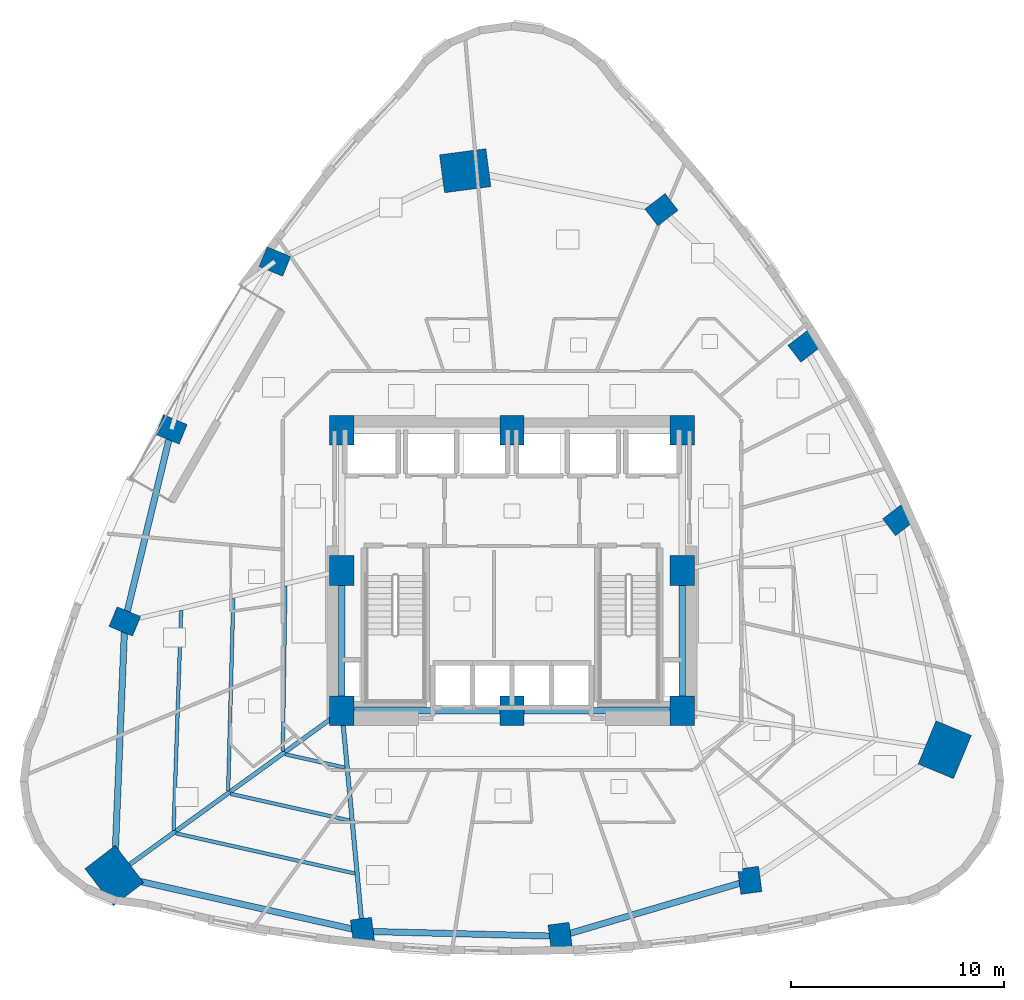
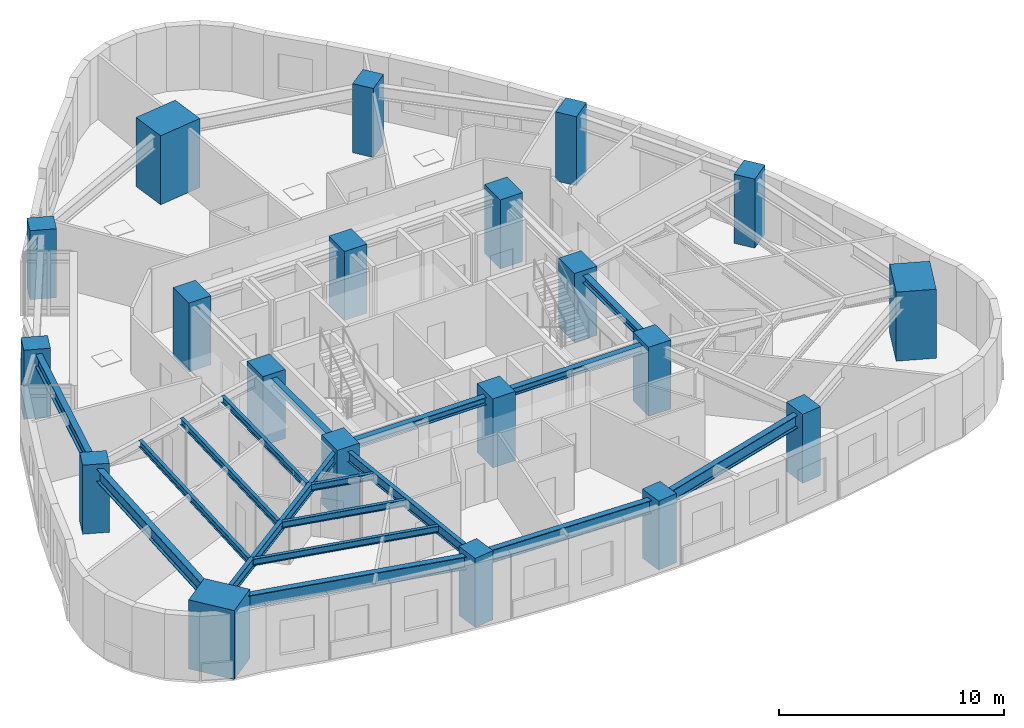
# One storey, part 1 of 12: 20 columns, 17 beams.
"""IFC4 building model written with IfcOpenShell, lengths in metres."""

from ifc_helpers import new_model, si_unit, direction, frame, origin, origin_2d, place, context, subcontext, project, spatial, rectangle, i_section, extrude, material, material_profile, profile_set, type_object, element, save


model = new_model("IFC4")

# Units and contexts
model_context = context("Model", 3, precision=1e-05, world=origin(), true_north=direction((0.0, 1.0)))
body_context = subcontext(model_context, "Body", "Model", "MODEL_VIEW")
ifc_project = project(units=[si_unit("LENGTHUNIT", "METRE"), si_unit("AREAUNIT", "SQUARE_METRE"), si_unit("VOLUMEUNIT", "CUBIC_METRE"), si_unit("PLANEANGLEUNIT", "RADIAN"), si_unit("MASSUNIT", "GRAM", prefix="KILO")], contexts=[model_context])

# Site, building, storey
site_placement = place(None, origin())
site = spatial("IfcSite", under=ifc_project, at=site_placement, CompositionType="ELEMENT")
building_placement = place(site_placement, origin())
building = spatial("IfcBuilding", under=site, at=building_placement, Name="Ndelora Gate Hotel", CompositionType="ELEMENT")
storey_placement = place(building_placement, frame((0.0, 0.0, 38.0)))
storey = spatial("IfcBuildingStorey", under=building, at=storey_placement, Name="L08", CompositionType="ELEMENT", Elevation=38.0)

# Columns
ifc_material_1 = material(Name="Concrete C60/75", Category="concrete")
ifc_material_profile_1 = material_profile(ifc_material_1, rectangle(XDim=1.14990234375, YDim=1.39990234375, at=origin_2d()), Name="RC 1400x1150")
ifc_profile_set_1 = profile_set([ifc_material_profile_1], Name="Concrete C60/75")
column_type_1 = type_object("IfcColumnType", Name="COL-CC-LOW", PredefinedType="COLUMN", material=ifc_profile_set_1)
for number, where, z_axis, x_axis, name in (
    (1, (-8.0, -6.60009765625, 0.0), (0.0, 0.0, 1.0), (1.0, 0.0, 0.0), "L08 Core Column CC1"),
    (2, (0.0, -6.60009765625, 0.0), (0.0, 0.0, 1.0), (1.0, 0.0, 0.0), "L08 Core Column CC2"),
    (3, (8.0, -6.60009765625, 0.0), (0.0, 0.0, 1.0), (1.0, 0.0, 0.0), "L08 Core Column CC3"),
    (4, (8.0, 0.0, 0.0), (0.0, 0.0, 1.0), (1.0, 0.0, 0.0), "L08 Core Column CC4"),
    (5, (8.0, 6.60009765625, 0.0), (0.0, 0.0, 1.0), (1.0, 0.0, 0.0), "L08 Core Column CC5"),
    (6, (0.0, 6.60009765625, 0.0), (0.0, 0.0, 1.0), (1.0, 0.0, 0.0), "L08 Core Column CC6"),
    (7, (-8.0, 6.60009765625, 0.0), (0.0, 0.0, 1.0), (1.0, 0.0, 0.0), "L08 Core Column CC7"),
    (8, (-8.0, 0.0, 0.0), (0.0, 0.0, 1.0), (1.0, 0.0, 0.0), "L08 Core Column CC8"),
):
    element("IfcColumn", number, at=place(storey_placement, frame(where, z_axis=z_axis, x_axis=x_axis)), inside=storey, type_object=column_type_1, Name=name, PredefinedType="COLUMN", context=body_context, shape_type="SweptSolid", body=[
        extrude(rectangle(XDim=1.14990234375, YDim=1.39990234375, at=origin_2d()), origin(), (0.0, 0.0, 1.0), 3.75),
    ])
ifc_material_profile_2 = material_profile(ifc_material_1, rectangle(XDim=1.800048828125, YDim=2.199951171875, at=origin_2d()), Name="RC 2200x1800")
ifc_profile_set_2 = profile_set([ifc_material_profile_2], Name="Concrete C60/75")
column_type_2 = type_object("IfcColumnType", Name="COL-MC-Z1", PredefinedType="COLUMN", material=ifc_profile_set_2)
for number, where, z_axis, x_axis, name in (
    (9, (-2.199951171875, 18.800048828125, 0.0), (0.0, 0.0, 1.0), (-0.13052619222, 0.991444861374, 0.0), "L08 Corner Mega-Column R1"),
    (10, (-18.701904296875, -14.3505859375, 0.0), (0.0, 0.0, 1.0), (0.793353340291, 0.608761429009, 0.0), "L08 Corner Mega-Column R5"),
    (11, (20.35009765625, -8.42919921875, 0.0), (0.0, 0.0, 1.0), (-0.923879532511, 0.382683432365, 0.0), "L08 Corner Mega-Column R9"),
):
    element("IfcColumn", number, at=place(storey_placement, frame(where, z_axis=z_axis, x_axis=x_axis)), inside=storey, type_object=column_type_2, Name=name, PredefinedType="COLUMN", context=body_context, shape_type="SweptSolid", body=[
        extrude(rectangle(XDim=1.800048828125, YDim=2.199951171875, at=origin_2d()), origin(), (0.0, 0.0, 1.0), 3.75),
    ])
ifc_material_profile_3 = material_profile(ifc_material_1, rectangle(XDim=1.0, YDim=1.199951171875, at=origin_2d()), Name="RC 1200x1000")
ifc_profile_set_3 = profile_set([ifc_material_profile_3], Name="Concrete C60/75")
column_type_3 = type_object("IfcColumnType", Name="COL-PT-Z1", PredefinedType="COLUMN", material=ifc_profile_set_3)
for number, where, z_axis, x_axis, name in (
    (12, (-11.1484375, 14.529052734375, 0.0), (0.0, 0.0, 1.0), (0.382683432365, 0.923879532511, 0.0), "L08 Perimeter Tube Column R2"),
    (13, (-16.016845703125, 6.634521484375, 0.0), (0.0, 0.0, 1.0), (0.382683432365, 0.923879532511, 0.0), "L08 Perimeter Tube Column R3"),
    (14, (-18.207275390625, -2.39697265625, 0.0), (0.0, 0.0, 1.0), (0.382683432365, 0.923879532511, 0.0), "L08 Perimeter Tube Column R4"),
    (15, (-7.027587890625, -16.96630859375, 0.0), (0.0, 0.0, 1.0), (0.991444861374, 0.13052619222, 0.0), "L08 Perimeter Tube Column R6"),
    (16, (2.2646484375, -17.20166015625, 0.0), (0.0, 0.0, 1.0), (0.991444861374, 0.13052619222, 0.0), "L08 Perimeter Tube Column R7"),
    (17, (11.179443359375, -14.5693359375, 0.0), (0.0, 0.0, 1.0), (0.991444861374, 0.13052619222, 0.0), "L08 Perimeter Tube Column R8"),
    (18, (18.207275390625, 2.39697265625, 0.0), (0.0, 0.0, 1.0), (-0.608761429009, 0.793353340291, 0.0), "L08 Perimeter Tube Column R10"),
    (19, (13.75390625, 10.5537109375, 0.0), (0.0, 0.0, 1.0), (-0.608761429009, 0.793353340291, 0.0), "L08 Perimeter Tube Column R11"),
    (20, (7.027587890625, 16.96630859375, 0.0), (0.0, 0.0, 1.0), (-0.608761429009, 0.793353340291, 0.0), "L08 Perimeter Tube Column R12"),
):
    element("IfcColumn", number, at=place(storey_placement, frame(where, z_axis=z_axis, x_axis=x_axis)), inside=storey, type_object=column_type_3, Name=name, PredefinedType="COLUMN", context=body_context, shape_type="SweptSolid", body=[
        extrude(rectangle(XDim=1.0, YDim=1.199951171875, at=origin_2d()), origin(), (0.0, 0.0, 1.0), 3.75),
    ])

# Beams
ifc_material_2 = material(Name="Steel S355", Category="steel")
ifc_material_profile_4 = material_profile(ifc_material_2, i_section(OverallWidth=0.300048828125, OverallDepth=0.39990234375, WebThickness=0.013427734375, FlangeThickness=0.02392578125, FilletRadius=0.027099609375, at=origin_2d()), Name="HEB 400")
ifc_profile_set_4 = profile_set([ifc_material_profile_4], Name="Steel S355")
beam_type_1 = type_object("IfcBeamType", Name="BM-CORE-400", PredefinedType="BEAM", material=ifc_profile_set_4)
for number, where, z_axis, x_axis, name in (
    (21, (-8.0, -6.60009765625, 3.300048828125), (0.0, 1.0, 0.0), (-1.0, 0.0, 0.0), "L08 Core Tie Girder CC1-CC8"),
    (22, (8.0, -6.60009765625, 3.300048828125), (0.0, 1.0, 0.0), (-1.0, 0.0, 0.0), "L08 Core Tie Girder CC3-CC4"),
):
    element("IfcBeam", number, at=place(storey_placement, frame(where, z_axis=z_axis, x_axis=x_axis)), inside=storey, type_object=beam_type_1, Name=name, PredefinedType="BEAM", context=body_context, shape_type="SweptSolid", body=[
        extrude(i_section(OverallWidth=0.300048828125, OverallDepth=0.39990234375, WebThickness=0.013427734375, FlangeThickness=0.02392578125, FilletRadius=0.027099609375, at=origin_2d()), origin(), (0.0, 0.0, 1.0), 6.60009765625),
    ])
for number, where, z_axis, x_axis, name in (
    (23, (-8.0, -6.60009765625, 3.300048828125), (1.0, 0.0, 0.0), (0.0, 1.0, 0.0), "L08 Core Tie Girder CC1-CC2"),
    (24, (0.0, -6.60009765625, 3.300048828125), (1.0, 0.0, 0.0), (0.0, 1.0, 0.0), "L08 Core Tie Girder CC2-CC3"),
):
    element("IfcBeam", number, at=place(storey_placement, frame(where, z_axis=z_axis, x_axis=x_axis)), inside=storey, type_object=beam_type_1, Name=name, PredefinedType="BEAM", context=body_context, shape_type="SweptSolid", body=[
        extrude(i_section(OverallWidth=0.300048828125, OverallDepth=0.39990234375, WebThickness=0.013427734375, FlangeThickness=0.02392578125, FilletRadius=0.027099609375, at=origin_2d()), origin(), (0.0, 0.0, 1.0), 8.0),
    ])
ifc_material_profile_5 = material_profile(ifc_material_2, i_section(OverallWidth=0.169921875, OverallDepth=0.360107421875, WebThickness=0.008056640625, FlangeThickness=0.0126953125, FilletRadius=0.01806640625, at=origin_2d()), Name="IPE 360")
ifc_profile_set_5 = profile_set([ifc_material_profile_5], Name="Steel S355")
beam_type_2 = type_object("IfcBeamType", Name="BM-JST-360", PredefinedType="JOIST", material=ifc_profile_set_5)
beam_1_placement = place(storey_placement, frame((-10.65576171875, -0.73828125, 3.320068359375), z_axis=(-0.016071150123, -0.999870850727, 0.0), x_axis=(0.999870850727, -0.016071150123, 0.0)))
element("IfcBeam", 25, at=beam_1_placement, inside=storey, type_object=beam_type_2, Name="L08 Secondary Composite Floor Joist IN-4", PredefinedType="JOIST", context=body_context, shape_type="SweptSolid", body=[
    extrude(i_section(OverallWidth=0.169921875, OverallDepth=0.360107421875, WebThickness=0.008056640625, FlangeThickness=0.0126953125, FilletRadius=0.01806640625, at=origin_2d()), origin(), (0.0, 0.0, 1.0), 7.7626953125),
])
beam_2_placement = place(storey_placement, frame((-13.106689453125, -1.3134765625, 3.320068359375), z_axis=(-0.02665287705, -0.999644748971, 0.0), x_axis=(0.999644748971, -0.02665287705, 0.0)))
element("IfcBeam", 26, at=beam_2_placement, inside=storey, type_object=beam_type_2, Name="L08 Secondary Composite Floor Joist MID-4", PredefinedType="JOIST", context=body_context, shape_type="SweptSolid", body=[
    extrude(i_section(OverallWidth=0.169921875, OverallDepth=0.360107421875, WebThickness=0.008056640625, FlangeThickness=0.0126953125, FilletRadius=0.01806640625, at=origin_2d()), origin(), (0.0, 0.0, 1.0), 9.050048828125),
])
beam_3_placement = place(storey_placement, frame((-15.557373046875, -1.888671875, 3.320068359375), z_axis=(-0.034620883261, -0.999400517532, 0.0), x_axis=(0.999400517532, -0.034620883261, 0.0)))
element("IfcBeam", 27, at=beam_3_placement, inside=storey, type_object=beam_type_2, Name="L08 Secondary Composite Floor Joist OUT-4", PredefinedType="JOIST", context=body_context, shape_type="SweptSolid", body=[
    extrude(i_section(OverallWidth=0.169921875, OverallDepth=0.360107421875, WebThickness=0.008056640625, FlangeThickness=0.0126953125, FilletRadius=0.01806640625, at=origin_2d()), origin(), (0.0, 0.0, 1.0), 10.337890625),
])
beam_4_placement = place(storey_placement, frame((-10.67041015625, -8.640380859375, 3.320068359375), z_axis=(0.975820751938, -0.218572322325, 0.0), x_axis=(0.218572322325, 0.975820751938, 0.0)))
element("IfcBeam", 28, at=beam_4_placement, inside=storey, type_object=beam_type_2, Name="L08 Secondary Composite Floor Joist IN-5", PredefinedType="JOIST", context=body_context, shape_type="SweptSolid", body=[
    extrude(i_section(OverallWidth=0.169921875, OverallDepth=0.360107421875, WebThickness=0.008056640625, FlangeThickness=0.0126953125, FilletRadius=0.01806640625, at=origin_2d()), origin(), (0.0, 0.0, 1.0), 2.880615234375),
])
beam_5_placement = place(storey_placement, frame((-13.23876953125, -10.50048828125, 3.320068359375), z_axis=(0.975805037012, -0.218642470123, 0.0), x_axis=(0.218642470123, 0.975805037012, 0.0)))
element("IfcBeam", 29, at=beam_5_placement, inside=storey, type_object=beam_type_2, Name="L08 Secondary Composite Floor Joist MID-5", PredefinedType="JOIST", context=body_context, shape_type="SweptSolid", body=[
    extrude(i_section(OverallWidth=0.169921875, OverallDepth=0.360107421875, WebThickness=0.008056640625, FlangeThickness=0.0126953125, FilletRadius=0.01806640625, at=origin_2d()), origin(), (0.0, 0.0, 1.0), 5.751708984375),
])
beam_6_placement = place(storey_placement, frame((-15.80712890625, -12.360595703125, 3.320068359375), z_axis=(0.975802493229, -0.218653822759, 0.0), x_axis=(0.218653822759, 0.975802493229, 0.0)))
element("IfcBeam", 30, at=beam_6_placement, inside=storey, type_object=beam_type_2, Name="L08 Secondary Composite Floor Joist OUT-5", PredefinedType="JOIST", context=body_context, shape_type="SweptSolid", body=[
    extrude(i_section(OverallWidth=0.169921875, OverallDepth=0.360107421875, WebThickness=0.008056640625, FlangeThickness=0.0126953125, FilletRadius=0.01806640625, at=origin_2d()), origin(), (0.0, 0.0, 1.0), 8.623291015625),
])
ifc_material_profile_6 = material_profile(ifc_material_2, i_section(OverallWidth=0.2099609375, OverallDepth=0.550048828125, WebThickness=0.010986328125, FlangeThickness=0.01708984375, FilletRadius=0.02392578125, at=origin_2d()), Name="IPE 550")
ifc_profile_set_6 = profile_set([ifc_material_profile_6], Name="Steel S355")
beam_type_3 = type_object("IfcBeamType", Name="BM-RAD-550", PredefinedType="BEAM", material=ifc_profile_set_6)
beam_7_placement = place(storey_placement, frame((-8.0, -6.60009765625, 3.22509765625), z_axis=(-0.809912157619, -0.586551188679, 0.0), x_axis=(0.586551188679, -0.809912157619, 0.0)))
element("IfcBeam", 31, at=beam_7_placement, inside=storey, type_object=beam_type_3, Name="L08 Radial Floor Girder 5", PredefinedType="BEAM", context=body_context, shape_type="SweptSolid", body=[
    extrude(i_section(OverallWidth=0.2099609375, OverallDepth=0.550048828125, WebThickness=0.010986328125, FlangeThickness=0.01708984375, FilletRadius=0.02392578125, at=origin_2d()), origin(), (0.0, 0.0, 1.0), 13.213623046875),
])
beam_8_placement = place(storey_placement, frame((-8.0, -6.60009765625, 3.22509765625), z_axis=(0.093395913855, -0.995629049031, 0.0), x_axis=(0.995629049031, 0.093395913855, 0.0)))
element("IfcBeam", 32, at=beam_8_placement, inside=storey, type_object=beam_type_3, Name="L08 Radial Floor Girder 6", PredefinedType="BEAM", context=body_context, shape_type="SweptSolid", body=[
    extrude(i_section(OverallWidth=0.2099609375, OverallDepth=0.550048828125, WebThickness=0.010986328125, FlangeThickness=0.01708984375, FilletRadius=0.02392578125, at=origin_2d()), origin(), (0.0, 0.0, 1.0), 10.41162109375),
])
ifc_material_profile_7 = material_profile(ifc_material_2, i_section(OverallWidth=0.300048828125, OverallDepth=0.699951171875, WebThickness=0.01708984375, FlangeThickness=0.031982421875, FilletRadius=0.027099609375, at=origin_2d()), Name="HEB 700")
ifc_profile_set_7 = profile_set([ifc_material_profile_7], Name="Steel S355")
beam_type_4 = type_object("IfcBeamType", Name="BM-RING-700", PredefinedType="SPANDREL", material=ifc_profile_set_7)
beam_9_placement = place(storey_placement, frame((-16.016845703125, 6.634521484375, 3.14990234375), z_axis=(-0.235699273714, -0.971826040179, 0.0), x_axis=(0.971826040179, -0.235699273714, 0.0)))
element("IfcBeam", 33, at=beam_9_placement, inside=storey, type_object=beam_type_4, Name="L08 Perimeter Spandrel Girder 3", PredefinedType="SPANDREL", context=body_context, shape_type="SweptSolid", body=[
    extrude(i_section(OverallWidth=0.300048828125, OverallDepth=0.699951171875, WebThickness=0.01708984375, FlangeThickness=0.031982421875, FilletRadius=0.027099609375, at=origin_2d()), origin(), (0.0, 0.0, 1.0), 9.293212890625),
])
for number, where, z_axis, x_axis, name in (
    (34, (-18.207275390625, -2.39697265625, 3.14990234375), (-0.041343648978, -0.99914498582, 0.0), (0.99914498582, -0.041343648978, 0.0), "L08 Perimeter Spandrel Girder 4"),
    (35, (-18.701904296875, -14.3505859375, 3.14990234375), (0.97580624377, -0.218637084273, 0.0), (0.218637084273, 0.97580624377, 0.0), "L08 Perimeter Spandrel Girder 5"),
):
    element("IfcBeam", number, at=place(storey_placement, frame(where, z_axis=z_axis, x_axis=x_axis)), inside=storey, type_object=beam_type_4, Name=name, PredefinedType="SPANDREL", context=body_context, shape_type="SweptSolid", body=[
        extrude(i_section(OverallWidth=0.300048828125, OverallDepth=0.699951171875, WebThickness=0.01708984375, FlangeThickness=0.031982421875, FilletRadius=0.027099609375, at=origin_2d()), origin(), (0.0, 0.0, 1.0), 11.9638671875),
    ])
beam_10_placement = place(storey_placement, frame((-7.027587890625, -16.96630859375, 3.14990234375), z_axis=(0.999679406439, -0.025319643409, 0.0), x_axis=(0.025319643409, 0.999679406439, 0.0)))
element("IfcBeam", 36, at=beam_10_placement, inside=storey, type_object=beam_type_4, Name="L08 Perimeter Spandrel Girder 6", PredefinedType="SPANDREL", context=body_context, shape_type="SweptSolid", body=[
    extrude(i_section(OverallWidth=0.300048828125, OverallDepth=0.699951171875, WebThickness=0.01708984375, FlangeThickness=0.031982421875, FilletRadius=0.027099609375, at=origin_2d()), origin(), (0.0, 0.0, 1.0), 9.295166015625),
])
beam_11_placement = place(storey_placement, frame((2.2646484375, -17.20166015625, 3.14990234375), z_axis=(0.959064248316, 0.283188572514, 0.0), x_axis=(-0.283188572514, 0.959064248316, 0.0)))
element("IfcBeam", 37, at=beam_11_placement, inside=storey, type_object=beam_type_4, Name="L08 Perimeter Spandrel Girder 7", PredefinedType="SPANDREL", context=body_context, shape_type="SweptSolid", body=[
    extrude(i_section(OverallWidth=0.300048828125, OverallDepth=0.699951171875, WebThickness=0.01708984375, FlangeThickness=0.031982421875, FilletRadius=0.027099609375, at=origin_2d()), origin(), (0.0, 0.0, 1.0), 9.29541015625),
])

save(model, "model.ifc")
